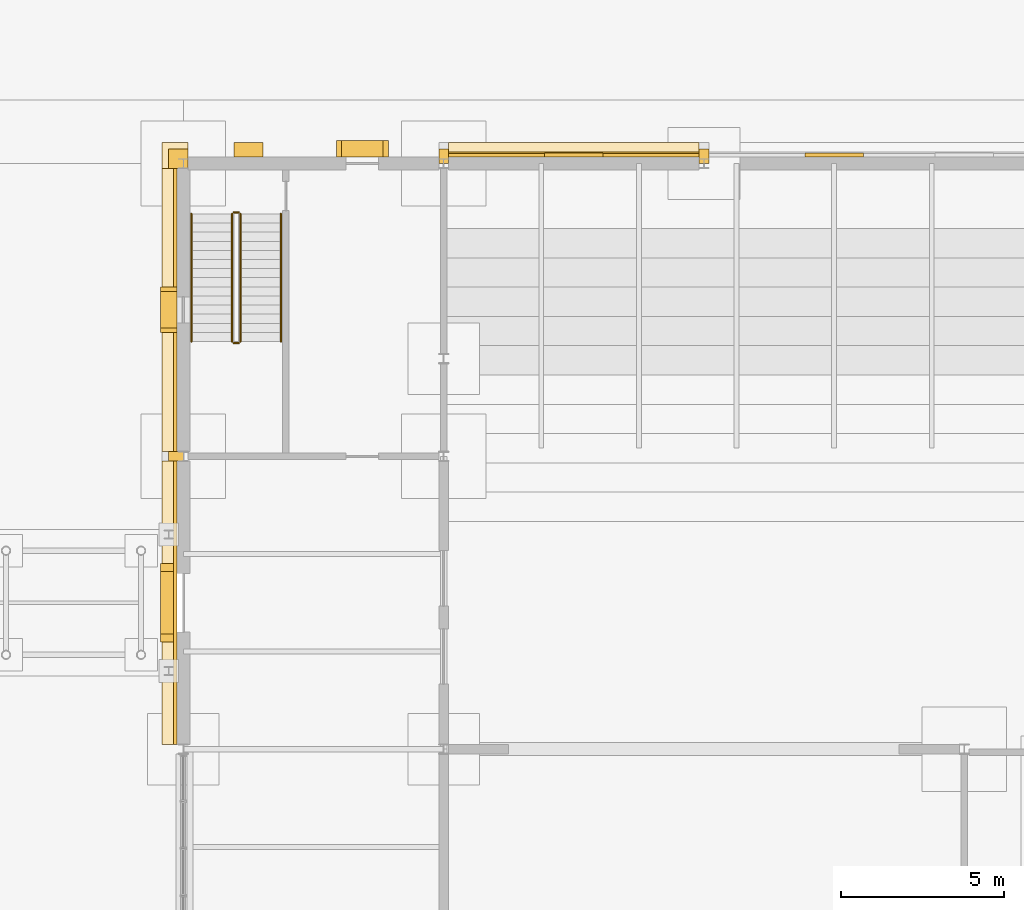
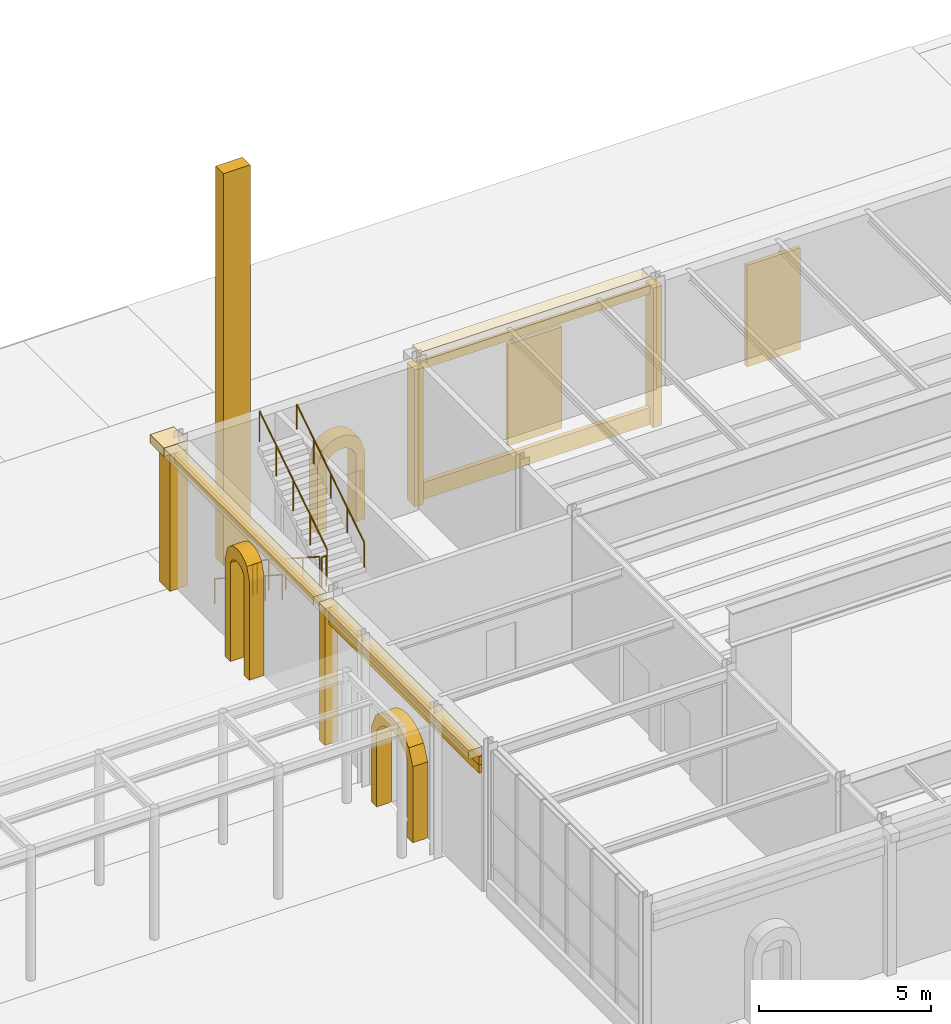
# One storey, part 119 of 126: 19 coverings, 6 railings.
"""IFC4 building model written with IfcOpenShell, lengths in metres."""

from ifc_helpers import new_model, si_unit, direction, frame, origin, origin_2d, place, context, subcontext, project, spatial, polyline, rectangle, circle, outline, extrude, material, layer, layer_set, type_object, element, save


model = new_model("IFC4")

# Units and contexts
model_context = context("Model", 3, precision=1e-05, world=origin(), true_north=direction((0.0, 1.0)))
body_context = subcontext(model_context, "Body", "Model", "MODEL_VIEW")
ifc_project = project(units=[si_unit("LENGTHUNIT", "METRE"), si_unit("AREAUNIT", "SQUARE_METRE"), si_unit("VOLUMEUNIT", "CUBIC_METRE"), si_unit("PLANEANGLEUNIT", "RADIAN"), si_unit("MASSUNIT", "GRAM", prefix="KILO")], contexts=[model_context])

# Site, building, storey
site_placement = place(None, origin())
site = spatial("IfcSite", under=ifc_project, at=site_placement, CompositionType="ELEMENT")
building_placement = place(site_placement, origin())
building = spatial("IfcBuilding", under=site, at=building_placement, Name="Kallimachos Central Library", CompositionType="ELEMENT")
storey_placement = place(building_placement, origin())
storey = spatial("IfcBuildingStorey", under=building, at=storey_placement, Name="L00", CompositionType="ELEMENT", Elevation=0.0)

# Coverings
ifc_material_1 = material(Name="Pentelic marble cladding", Category="masonry")
ifc_layer_1 = layer(ifc_material_1, 0.1201171875)
ifc_layer_set_1 = layer_set([ifc_layer_1], Name="Blind arcade relief panel")
covering_type_1 = type_object("IfcCoveringType", Name="Blind arcade relief panel", PredefinedType="CLADDING", material=ifc_layer_set_1)
for number, where, z_axis, x_axis, name in (
    (1, (150.0, 114.260009765625, 0.89990234375), (0.0, 0.0, 1.0), (1.0, 0.0, 0.0), "Blind arcade relief panel"),
    (2, (158.0, 114.260009765625, 0.89990234375), (0.0, 0.0, 1.0), (1.0, 0.0, 0.0), "Blind arcade relief panel"),
):
    element("IfcCovering", number, at=place(storey_placement, frame(where, z_axis=z_axis, x_axis=x_axis)), inside=storey, type_object=covering_type_1, Name=name, PredefinedType="CLADDING", context=body_context, shape_type="SweptSolid", body=[
        extrude(rectangle(XDim=1.800048828125, YDim=0.1201171875, at=origin_2d()), origin(), (0.0, 0.0, 1.0), 3.60009765625),
    ])
ifc_material_2 = material(Name="Glazed ceramic frieze, green")
ifc_layer_2 = layer(ifc_material_2, 0.10009765625)
ifc_layer_set_2 = layer_set([ifc_layer_2], Name="Glazed ceramic frieze, green")
covering_type_2 = type_object("IfcCoveringType", Name="Glazed ceramic frieze, green", PredefinedType="CLADDING", material=ifc_layer_set_2)
for number, where, z_axis, x_axis, name in (
    (3, (137.75, 100.5, 4.52978515625), (0.0, 0.0, 1.0), (1.0, 0.0, 0.0), "Glazed ceramic frieze, green -L00-001"),
    (4, (137.75, 109.5, 4.52978515625), (0.0, 0.0, 1.0), (1.0, 0.0, 0.0), "Glazed ceramic frieze, green -L00-002"),
):
    element("IfcCovering", number, at=place(storey_placement, frame(where, z_axis=z_axis, x_axis=x_axis)), inside=storey, type_object=covering_type_2, Name=name, PredefinedType="CLADDING", context=body_context, shape_type="SweptSolid", body=[
        extrude(rectangle(XDim=0.10009765625, YDim=8.699951171875, at=origin_2d()), origin(), (0.0, 0.0, 1.0), 0.300048828125),
    ])
covering_1_placement = place(storey_placement, frame((150.0, 114.25, 4.6298828125), z_axis=(0.0, 0.0, 1.0), x_axis=(1.0, 0.0, 0.0)))
element("IfcCovering", 5, at=covering_1_placement, inside=storey, type_object=covering_type_2, Name="Glazed ceramic frieze, green -L00-012", PredefinedType="CLADDING", context=body_context, shape_type="SweptSolid", body=[
    extrude(rectangle(XDim=7.699951171875, YDim=0.10009765625, at=origin_2d()), origin(), (0.0, 0.0, 1.0), 0.300048828125),
])
ifc_material_3 = material(Name="Glazed ceramic frieze, ochre")
ifc_layer_3 = layer(ifc_material_3, 0.10009765625)
ifc_layer_set_3 = layer_set([ifc_layer_3], Name="Glazed ceramic frieze, ochre")
covering_type_3 = type_object("IfcCoveringType", Name="Glazed ceramic frieze, ochre", PredefinedType="CLADDING", material=ifc_layer_set_3)
covering_2_placement = place(storey_placement, frame((137.75, 100.5, 4.22998046875), z_axis=(0.0, 0.0, 1.0), x_axis=(1.0, 0.0, 0.0)))
element("IfcCovering", 6, at=covering_2_placement, inside=storey, type_object=covering_type_3, Name="Glazed ceramic frieze, ochre -L00-001", PredefinedType="CLADDING", context=body_context, shape_type="SweptSolid", body=[
    extrude(rectangle(XDim=0.10009765625, YDim=8.699951171875, at=origin_2d()), origin(), (0.0, 0.0, 1.0), 0.300048828125),
])

# Railings
ifc_material_4 = material(Name="Steel S355J2", Category="steel")
railing_type_1 = type_object("IfcRailingType", Name="Stair guard 1100", PredefinedType="GUARDRAIL", material=ifc_material_4)
railing_1_placement = place(storey_placement, frame((139.5, 112.449951171875, 0.179931640625)))
element("IfcRailing", 7, at=railing_1_placement, inside=storey, type_object=railing_type_1, Name="L00 ST8 stair guard 1", PredefinedType="GUARDRAIL", context=body_context, shape_type="SweptSolid", body=[
    extrude(circle(Radius=0.02392578125, at=origin_2d()), frame((0.0, 0.0, 1.076171875), z_axis=(0.0, -0.841171666519, 0.540768182723), x_axis=(1.0, 0.0, 0.0)), (0.0, 0.0, 1.0), 4.66015625),
    extrude(circle(Radius=0.02099609375, at=origin_2d()), origin(), (0.0, 0.0, 1.0), 1.052001953125),
    extrude(circle(Radius=0.02099609375, at=origin_2d()), frame((0.0, -0.97998046875, 0.6298828125)), (0.0, 0.0, 1.0), 1.052001953125),
    extrude(circle(Radius=0.02099609375, at=origin_2d()), frame((0.0, -1.9599609375, 1.260009765625)), (0.0, 0.0, 1.0), 1.052001953125),
    extrude(circle(Radius=0.02099609375, at=origin_2d()), frame((0.0, -2.93994140625, 1.89013671875)), (0.0, 0.0, 1.0), 1.052001953125),
    extrude(circle(Radius=0.02099609375, at=origin_2d()), frame((0.0, -3.919921875, 2.52001953125)), (0.0, 0.0, 1.0), 1.052001953125),
])
railing_2_placement = place(storey_placement, frame((139.550048828125, 108.47998046875, 2.699951171875)))
element("IfcRailing", 8, at=railing_2_placement, inside=storey, type_object=railing_type_1, Name="L00 ST8 stair guard 2", PredefinedType="GUARDRAIL", context=body_context, shape_type="SweptSolid", body=[
    extrude(circle(Radius=0.02392578125, at=origin_2d()), frame((0.0, 0.0, 1.076171875), z_axis=(1.0, 0.0, 0.0), x_axis=(0.0, 1.0, 0.0)), (0.0, 0.0, 1.0), 0.14990234375),
    extrude(circle(Radius=0.02099609375, at=origin_2d()), origin(), (0.0, 0.0, 1.0), 1.052001953125),
    extrude(circle(Radius=0.02099609375, at=origin_2d()), frame((0.14990234375, 0.0, 0.0)), (0.0, 0.0, 1.0), 1.052001953125),
])
railing_3_placement = place(storey_placement, frame((139.75, 108.530029296875, 2.8798828125)))
element("IfcRailing", 9, at=railing_3_placement, inside=storey, type_object=railing_type_1, Name="L00 ST8 stair guard 3", PredefinedType="GUARDRAIL", context=body_context, shape_type="SweptSolid", body=[
    extrude(circle(Radius=0.02392578125, at=origin_2d()), frame((0.0, 0.0, 1.076171875), z_axis=(0.0, 0.841171666519, 0.540768182723), x_axis=(-1.0, 0.0, 0.0)), (0.0, 0.0, 1.0), 4.66015625),
    extrude(circle(Radius=0.02099609375, at=origin_2d()), origin(), (0.0, 0.0, 1.0), 1.052001953125),
    extrude(circle(Radius=0.02099609375, at=origin_2d()), frame((0.0, 0.97998046875, 0.6298828125)), (0.0, 0.0, 1.0), 1.052001953125),
    extrude(circle(Radius=0.02099609375, at=origin_2d()), frame((0.0, 1.9599609375, 1.260009765625)), (0.0, 0.0, 1.0), 1.052001953125),
    extrude(circle(Radius=0.02099609375, at=origin_2d()), frame((0.0, 2.93994140625, 1.89013671875)), (0.0, 0.0, 1.0), 1.052001953125),
    extrude(circle(Radius=0.02099609375, at=origin_2d()), frame((0.0, 3.919921875, 2.52001953125)), (0.0, 0.0, 1.0), 1.052001953125),
])
railing_4_placement = place(storey_placement, frame((139.550048828125, 112.5, 0.0)))
element("IfcRailing", 10, at=railing_4_placement, inside=storey, type_object=railing_type_1, Name="L00 ST8 stair guard 4", PredefinedType="GUARDRAIL", context=body_context, shape_type="SweptSolid", body=[
    extrude(circle(Radius=0.02392578125, at=origin_2d()), frame((0.0, 0.0, 1.076171875), z_axis=(1.0, 0.0, 0.0), x_axis=(0.0, 1.0, 0.0)), (0.0, 0.0, 1.0), 0.14990234375),
    extrude(circle(Radius=0.02099609375, at=origin_2d()), origin(), (0.0, 0.0, 1.0), 1.052001953125),
    extrude(circle(Radius=0.02099609375, at=origin_2d()), frame((0.14990234375, 0.0, 0.0)), (0.0, 0.0, 1.0), 1.052001953125),
])
ifc_material_5 = material(Name="Steel S355J2", Category="steel")
railing_type_2 = type_object("IfcRailingType", Name="Stair handrail 900", PredefinedType="HANDRAIL", material=ifc_material_5)
railing_5_placement = place(storey_placement, frame((138.25, 112.449951171875, 0.179931640625)))
element("IfcRailing", 11, at=railing_5_placement, inside=storey, type_object=railing_type_2, Name="L00 ST8 stair handrail 1", PredefinedType="HANDRAIL", context=body_context, shape_type="SweptSolid", body=[
    extrude(circle(Radius=0.02392578125, at=origin_2d()), frame((0.0, 0.0, 0.8759765625), z_axis=(0.0, -0.841171666519, 0.540768182723), x_axis=(1.0, 0.0, 0.0)), (0.0, 0.0, 1.0), 4.66015625),
    extrude(circle(Radius=0.02099609375, at=origin_2d()), origin(), (0.0, 0.0, 1.0), 0.851806640625),
    extrude(circle(Radius=0.02099609375, at=origin_2d()), frame((0.0, -0.97998046875, 0.6298828125)), (0.0, 0.0, 1.0), 0.851806640625),
    extrude(circle(Radius=0.02099609375, at=origin_2d()), frame((0.0, -1.9599609375, 1.260009765625)), (0.0, 0.0, 1.0), 0.851806640625),
    extrude(circle(Radius=0.02099609375, at=origin_2d()), frame((0.0, -2.93994140625, 1.89013671875)), (0.0, 0.0, 1.0), 0.851806640625),
    extrude(circle(Radius=0.02099609375, at=origin_2d()), frame((0.0, -3.919921875, 2.52001953125)), (0.0, 0.0, 1.0), 0.851806640625),
])
railing_6_placement = place(storey_placement, frame((141.0, 108.530029296875, 2.8798828125)))
element("IfcRailing", 12, at=railing_6_placement, inside=storey, type_object=railing_type_2, Name="L00 ST8 stair handrail 2", PredefinedType="HANDRAIL", context=body_context, shape_type="SweptSolid", body=[
    extrude(circle(Radius=0.02392578125, at=origin_2d()), frame((0.0, 0.0, 0.8759765625), z_axis=(0.0, 0.841171666519, 0.540768182723), x_axis=(-1.0, 0.0, 0.0)), (0.0, 0.0, 1.0), 4.66015625),
    extrude(circle(Radius=0.02099609375, at=origin_2d()), origin(), (0.0, 0.0, 1.0), 0.851806640625),
    extrude(circle(Radius=0.02099609375, at=origin_2d()), frame((0.0, 0.97998046875, 0.6298828125)), (0.0, 0.0, 1.0), 0.851806640625),
    extrude(circle(Radius=0.02099609375, at=origin_2d()), frame((0.0, 1.9599609375, 1.260009765625)), (0.0, 0.0, 1.0), 0.851806640625),
    extrude(circle(Radius=0.02099609375, at=origin_2d()), frame((0.0, 2.93994140625, 1.89013671875)), (0.0, 0.0, 1.0), 0.851806640625),
    extrude(circle(Radius=0.02099609375, at=origin_2d()), frame((0.0, 3.919921875, 2.52001953125)), (0.0, 0.0, 1.0), 0.851806640625),
])

# Coverings
ifc_material_6 = material(Name="Pentelic marble arcade ring", Category="masonry")
ifc_layer_4 = layer(ifc_material_6, 0.5)
ifc_layer_set_4 = layer_set([ifc_layer_4], Name="Stone arcade ring 500")
covering_type_4 = type_object("IfcCoveringType", Name="Stone arcade ring 500", PredefinedType="MOLDING", material=ifc_layer_set_4)
covering_3_placement = place(storey_placement, frame((137.300048828125, 108.800048828125, 0.0), z_axis=(-1.0, 0.0, 0.0), x_axis=(0.0, 0.0, 1.0)))
element("IfcCovering", 13, at=covering_3_placement, inside=storey, type_object=covering_type_4, Name="Arcade ring -L00-002-10", PredefinedType="MOLDING", context=body_context, shape_type="SweptSolid", body=[
    extrude(outline(polyline([(0.0, 0.0), (3.5, 0.0), (3.950439453125, 0.139892578125), (4.090087890625, 0.280029296875), (4.171630859375, 0.419921875), (4.2158203125, 0.56005859375), (4.22998046875, 0.699951171875), (4.2158203125, 0.83984375), (4.171630859375, 0.97998046875), (4.090087890625, 1.119873046875), (3.950439453125, 1.260009765625), (3.5, 1.39990234375), (0.0, 1.39990234375), (0.0, 1.099853515625), (3.5, 1.099853515625), (3.635009765625, 1.02001953125), (3.705810546875, 0.93994140625), (3.748779296875, 0.85986328125), (3.7724609375, 0.780029296875), (3.780029296875, 0.699951171875), (3.7724609375, 0.619873046875), (3.748779296875, 0.5400390625), (3.705810546875, 0.4599609375), (3.635009765625, 0.3798828125), (3.5, 0.300048828125), (0.0, 0.300048828125), (0.0, 0.0)])), origin(), (0.0, 0.0, -1.0), 0.5),
])
ifc_material_7 = material(Name="Pentelic marble buttress", Category="masonry")
ifc_layer_5 = layer(ifc_material_7, 0.449951171875)
ifc_layer_set_5 = layer_set([ifc_layer_5], Name="Stone buttress 450")
covering_type_5 = type_object("IfcCoveringType", Name="Stone buttress 450", PredefinedType="CLADDING", material=ifc_layer_set_5)
covering_4_placement = place(storey_placement, frame((140.0, 114.425048828125, 0.0), z_axis=(0.0, 0.0, 1.0), x_axis=(1.0, 0.0, 0.0)))
element("IfcCovering", 14, at=covering_4_placement, inside=storey, type_object=covering_type_5, Name="Stone buttress", PredefinedType="CLADDING", context=body_context, shape_type="SweptSolid", body=[
    extrude(rectangle(XDim=0.89990234375, YDim=0.449951171875, at=origin_2d()), origin(), (0.0, 0.0, 1.0), 13.89990234375),
])
ifc_material_8 = material(Name="Pentelic marble cornice", Category="masonry")
ifc_layer_6 = layer(ifc_material_8, 0.449951171875)
ifc_layer_set_6 = layer_set([ifc_layer_6], Name="Stone cornice 450")
covering_type_6 = type_object("IfcCoveringType", Name="Stone cornice 450", PredefinedType="MOLDING", material=ifc_layer_set_6)
for number, where, z_axis, x_axis, name in (
    (15, (137.574951171875, 100.5, 4.85009765625), (0.0, 0.0, 1.0), (1.0, 0.0, 0.0), "Stone cornice 450 -L00-001"),
    (16, (137.574951171875, 109.5, 4.85009765625), (0.0, 0.0, 1.0), (1.0, 0.0, 0.0), "Stone cornice 450 -L00-002"),
):
    element("IfcCovering", number, at=place(storey_placement, frame(where, z_axis=z_axis, x_axis=x_axis)), inside=storey, type_object=covering_type_6, Name=name, PredefinedType="MOLDING", context=body_context, shape_type="SweptSolid", body=[
        extrude(rectangle(XDim=0.449951171875, YDim=8.699951171875, at=origin_2d()), origin(), (0.0, 0.0, 1.0), 0.300048828125),
    ])
covering_5_placement = place(storey_placement, frame((150.0, 114.425048828125, 4.9501953125), z_axis=(0.0, 0.0, 1.0), x_axis=(1.0, 0.0, 0.0)))
element("IfcCovering", 17, at=covering_5_placement, inside=storey, type_object=covering_type_6, Name="Stone cornice 450 -L00-012", PredefinedType="MOLDING", context=body_context, shape_type="SweptSolid", body=[
    extrude(rectangle(XDim=7.699951171875, YDim=0.449951171875, at=origin_2d()), origin(), (0.0, 0.0, 1.0), 0.300048828125),
])
covering_6_placement = place(storey_placement, frame((137.75, 114.25, 4.85009765625), z_axis=(0.0, 0.0, 1.0), x_axis=(1.0, 0.0, 0.0)))
element("IfcCovering", 18, at=covering_6_placement, inside=storey, type_object=covering_type_6, Name="Stone cornice 450 corner", PredefinedType="MOLDING", context=body_context, shape_type="SweptSolid", body=[
    extrude(rectangle(XDim=0.800048828125, YDim=0.800048828125, at=origin_2d()), origin(), (0.0, 0.0, 1.0), 0.300048828125),
])
ifc_material_9 = material(Name="Pentelic marble portal arch", Category="masonry")
ifc_layer_7 = layer(ifc_material_9, 0.5)
ifc_layer_set_7 = layer_set([ifc_layer_7], Name="Stone door portal 500")
covering_type_7 = type_object("IfcCoveringType", Name="Stone door portal 500", PredefinedType="MOLDING", material=ifc_layer_set_7)
covering_7_placement = place(storey_placement, frame((137.300048828125, 99.300048828125, 0.0), z_axis=(-1.0, 0.0, 0.0), x_axis=(0.0, 0.0, 1.0)))
element("IfcCovering", 19, at=covering_7_placement, inside=storey, type_object=covering_type_7, Name="Door portal -DOR-L00-001", PredefinedType="MOLDING", context=body_context, shape_type="SweptSolid", body=[
    extrude(outline(polyline([(0.0, 0.0), (2.699951171875, 0.0), (3.224365234375, 0.239990234375), (3.455322265625, 0.47998046875), (3.591796875, 0.719970703125), (3.666259765625, 0.9599609375), (3.68994140625, 1.199951171875), (3.666259765625, 1.43994140625), (3.591796875, 1.679931640625), (3.455322265625, 1.919921875), (3.224365234375, 2.159912109375), (2.699951171875, 2.39990234375), (0.0, 2.39990234375), (0.0, 2.099853515625), (2.699951171875, 2.099853515625), (2.9423828125, 1.919921875), (3.085205078125, 1.739990234375), (3.17431640625, 1.56005859375), (3.22412109375, 1.3798828125), (3.239990234375, 1.199951171875), (3.22412109375, 1.02001953125), (3.17431640625, 0.83984375), (3.085205078125, 0.659912109375), (2.9423828125, 0.47998046875), (2.699951171875, 0.300048828125), (0.0, 0.300048828125), (0.0, 0.0)])), origin(), (0.0, 0.0, -1.0), 0.5),
])
covering_8_placement = place(storey_placement, frame((142.699951171875, 114.699951171875, 0.0), z_axis=(0.0, 1.0, 0.0), x_axis=(0.0, 0.0, 1.0)))
element("IfcCovering", 20, at=covering_8_placement, inside=storey, type_object=covering_type_7, Name="Door portal -DOR-L00-005", PredefinedType="MOLDING", context=body_context, shape_type="SweptSolid", body=[
    extrude(outline(polyline([(0.0, 0.0), (2.39990234375, 0.0), (2.889892578125, 0.16015625), (3.050048828125, 0.320068359375), (3.143310546875, 0.47998046875), (3.19384765625, 0.64013671875), (3.2099609375, 0.800048828125), (3.19384765625, 0.9599609375), (3.143310546875, 1.1201171875), (3.050048828125, 1.280029296875), (2.889892578125, 1.43994140625), (2.39990234375, 1.60009765625), (0.0, 1.60009765625), (0.0, 1.300048828125), (2.39990234375, 1.300048828125), (2.576171875, 1.199951171875), (2.666259765625, 1.10009765625), (2.720703125, 1.0), (2.75048828125, 0.900146484375), (2.760009765625, 0.800048828125), (2.75048828125, 0.699951171875), (2.720703125, 0.60009765625), (2.666259765625, 0.5), (2.576171875, 0.400146484375), (2.39990234375, 0.300048828125), (0.0, 0.300048828125), (0.0, 0.0)])), origin(), (0.0, 0.0, -1.0), 0.5),
])
ifc_material_10 = material(Name="Pentelic marble pilaster", Category="masonry")
ifc_layer_8 = layer(ifc_material_10, 0.25)
ifc_layer_set_8 = layer_set([ifc_layer_8], Name="Stone pilaster 250")
covering_type_8 = type_object("IfcCoveringType", Name="Stone pilaster 250", PredefinedType="CLADDING", material=ifc_layer_set_8)
covering_9_placement = place(storey_placement, frame((137.77490234375, 105.0, 0.0), z_axis=(0.0, 0.0, 1.0), x_axis=(1.0, 0.0, 0.0)))
element("IfcCovering", 21, at=covering_9_placement, inside=storey, type_object=covering_type_8, Name="Stone pilaster 250 -L00-001", PredefinedType="CLADDING", context=body_context, shape_type="SweptSolid", body=[
    extrude(rectangle(XDim=0.449951171875, YDim=0.300048828125, at=origin_2d()), origin(), (0.0, 0.0, 1.0), 4.85009765625),
])
covering_10_placement = place(storey_placement, frame((146.0, 114.22509765625, 0.0), z_axis=(0.0, 0.0, 1.0), x_axis=(1.0, 0.0, 0.0)))
element("IfcCovering", 22, at=covering_10_placement, inside=storey, type_object=covering_type_8, Name="Stone pilaster 250 -L00-011", PredefinedType="CLADDING", context=body_context, shape_type="SweptSolid", body=[
    extrude(rectangle(XDim=0.300048828125, YDim=0.449951171875, at=origin_2d()), origin(), (0.0, 0.0, 1.0), 4.85009765625),
])
covering_11_placement = place(storey_placement, frame((154.0, 114.22509765625, 0.0), z_axis=(0.0, 0.0, 1.0), x_axis=(1.0, 0.0, 0.0)))
element("IfcCovering", 23, at=covering_11_placement, inside=storey, type_object=covering_type_8, Name="Stone pilaster 250 -L00-012", PredefinedType="CLADDING", context=body_context, shape_type="SweptSolid", body=[
    extrude(rectangle(XDim=0.300048828125, YDim=0.449951171875, at=origin_2d()), origin(), (0.0, 0.0, 1.0), 4.949951171875),
])
covering_12_placement = place(storey_placement, frame((137.85009765625, 114.14990234375, 0.0), z_axis=(0.0, 0.0, 1.0), x_axis=(1.0, 0.0, 0.0)))
element("IfcCovering", 24, at=covering_12_placement, inside=storey, type_object=covering_type_8, Name="Stone pilaster 250 corner", PredefinedType="CLADDING", context=body_context, shape_type="SweptSolid", body=[
    extrude(rectangle(XDim=0.60009765625, YDim=0.60009765625, at=origin_2d()), origin(), (0.0, 0.0, 1.0), 4.85009765625),
])
ifc_material_11 = material(Name="Pentelic marble plinth course", Category="masonry")
ifc_layer_9 = layer(ifc_material_11, 0.14990234375)
ifc_layer_set_9 = layer_set([ifc_layer_9], Name="Stone plinth course 600")
covering_type_9 = type_object("IfcCoveringType", Name="Stone plinth course 600", PredefinedType="CLADDING", material=ifc_layer_set_9)
covering_13_placement = place(storey_placement, frame((150.0, 114.27490234375, 0.0), z_axis=(0.0, 0.0, 1.0), x_axis=(1.0, 0.0, 0.0)))
element("IfcCovering", 25, at=covering_13_placement, inside=storey, type_object=covering_type_9, Name="Stone plinth course 600 -L00-012", PredefinedType="CLADDING", context=body_context, shape_type="SweptSolid", body=[
    extrude(rectangle(XDim=7.699951171875, YDim=0.14990234375, at=origin_2d()), origin(), (0.0, 0.0, 1.0), 0.60009765625),
])

save(model, "model.ifc")
